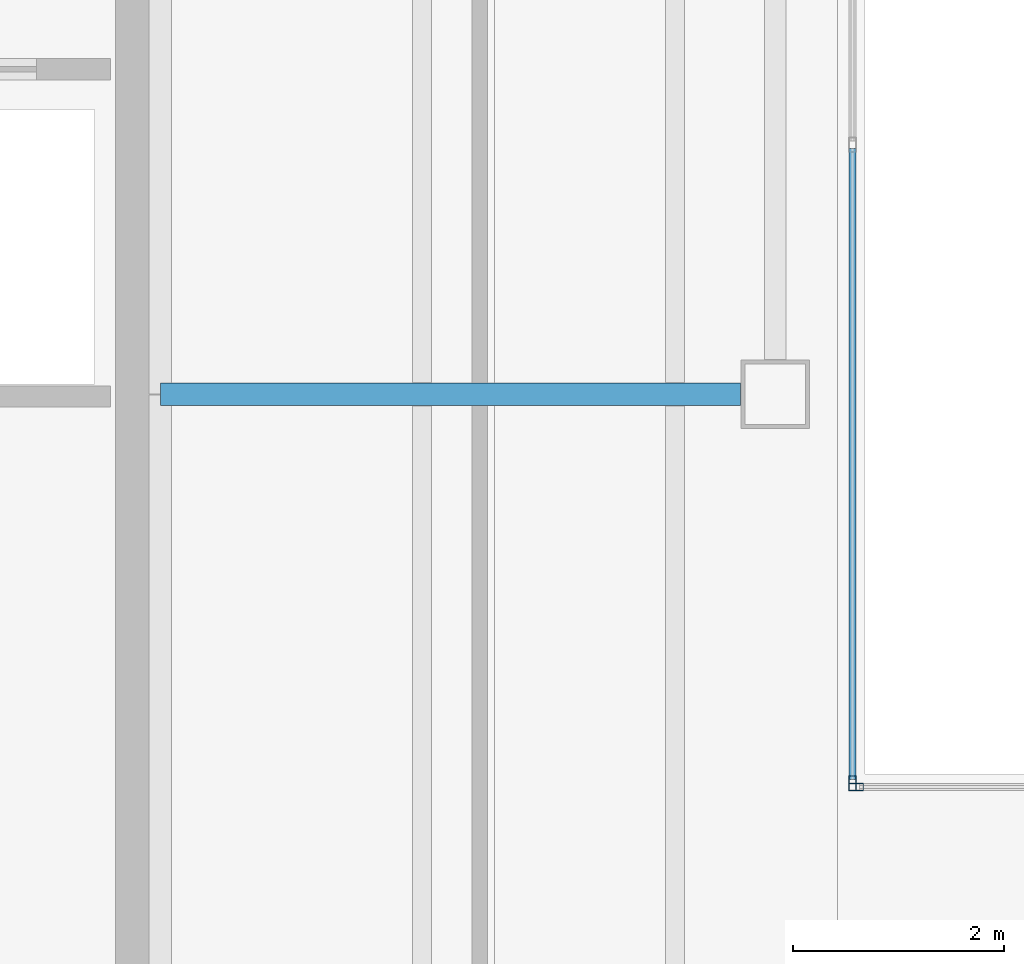
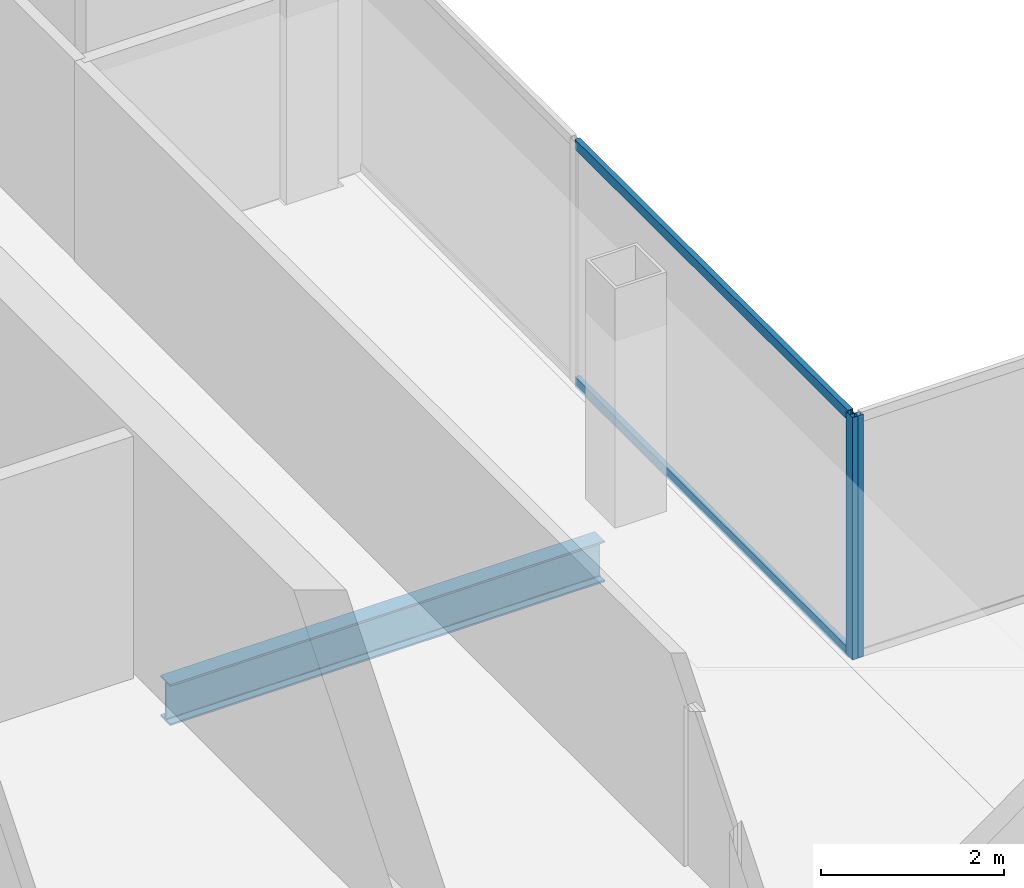
# One storey, part 8 of 23: 4 members, 1 beam, 2 elements without a shape of their own.
"""IFC4 building model written with IfcOpenShell, lengths in metres."""

from ifc_helpers import new_model, si_unit, direction, frame, origin, origin_2d, place, context, subcontext, project, spatial, hollow_rectangle, i_section, extrude, material, material_profile, profile_set, type_object, element, aggregate, save


model = new_model("IFC4")

# Units and contexts
model_context = context("Model", 3, precision=1e-05, world=origin(), true_north=direction((0.0, 1.0)))
body_context = subcontext(model_context, "Body", "Model", "MODEL_VIEW")
ifc_project = project(units=[si_unit("LENGTHUNIT", "METRE"), si_unit("AREAUNIT", "SQUARE_METRE"), si_unit("VOLUMEUNIT", "CUBIC_METRE"), si_unit("PLANEANGLEUNIT", "RADIAN"), si_unit("MASSUNIT", "GRAM", prefix="KILO")], contexts=[model_context])

# Site, building, storey
site_placement = place(None, origin())
site = spatial("IfcSite", under=ifc_project, at=site_placement, CompositionType="ELEMENT")
building_placement = place(site_placement, origin())
building = spatial("IfcBuilding", under=site, at=building_placement, Name="Cobrela Telecom Tower", CompositionType="ELEMENT")
storey_placement = place(building_placement, frame((0.0, 0.0, 272.64990234375)))
storey = spatial("IfcBuildingStorey", under=building, at=storey_placement, Name="L71", CompositionType="ELEMENT", Elevation=272.64990234375)

# Beam
ifc_material_1 = material(Name="Steel ASTM A992 Grade 50", Category="steel")
ifc_material_profile_1 = material_profile(ifc_material_1, i_section(OverallWidth=0.212890625, OverallDepth=0.549072265625, WebThickness=0.0146484375, FlangeThickness=0.023681640625, FilletRadius=0.013916015625, at=origin_2d()), Name="W21X93")
ifc_profile_set_1 = profile_set([ifc_material_profile_1], Name="Steel ASTM A992 Grade 50")
beam_type = type_object("IfcBeamType", Name="BM-GIRD-08", PredefinedType="USERDEFINED", material=ifc_profile_set_1)
beam_placement = place(storey_placement, frame((14.324951171875, 28.800048828125, -0.534423828125), z_axis=(1.0, 0.0, 0.0), x_axis=(0.0, 1.0, 0.0)))
element("IfcBeam", 1, at=beam_placement, inside=storey, type_object=beam_type, Name="L71 Primary Girder X15", ObjectType="GIRDER", PredefinedType="USERDEFINED", context=body_context, shape_type="SweptSolid", body=[
    extrude(i_section(OverallWidth=0.212890625, OverallDepth=0.549072265625, WebThickness=0.0146484375, FlangeThickness=0.023681640625, FilletRadius=0.013916015625, at=origin_2d()), origin(), (0.0, 0.0, 1.0), 5.4951171875),
])

# Curtain wall, member
ifc_material_2 = material(Name="Anodized Bronze Aluminium 6063-T6", Category="aluminium")
curtain_wall_type = type_object("IfcCurtainWallType", Name="CW-SYS-OFF-HI", PredefinedType="USERDEFINED", material=ifc_material_2)
curtain_wall_1_placement = place(storey_placement, origin())
curtain_wall_1 = element("IfcCurtainWall", 2, at=curtain_wall_1_placement, inside=storey, type_object=curtain_wall_type, Name="L71 Unitised Bronze Curtain Wall 08", ObjectType="UNITISED CURTAIN WALL", PredefinedType="USERDEFINED")
ifc_material_profile_2 = material_profile(ifc_material_2, hollow_rectangle(XDim=0.070068359375, YDim=0.139892578125, WallThickness=0.00390625, at=origin_2d()), Name="ALU 70x140x4")
ifc_profile_set_2 = profile_set([ifc_material_profile_2], Name="Anodized Bronze Aluminium 6063-T6")
member_type_1 = type_object("IfcMemberType", Name="CW-SYS-OFF-HI-MUL", PredefinedType="MULLION", material=ifc_profile_set_2)
member_1_placement = place(storey_placement, frame((20.8798828125, 25.114990234375, 0.0), z_axis=(0.0, 0.0, 1.0), x_axis=(1.0, 0.0, 0.0)))
member_1 = element("IfcMember", 3, at=member_1_placement, type_object=member_type_1, Name="CW-OFF-HI mullion 3", PredefinedType="MULLION", context=body_context, shape_type="SweptSolid", body=[
    extrude(hollow_rectangle(XDim=0.070068359375, YDim=0.139892578125, WallThickness=0.00390625, at=origin_2d()), origin(), (0.0, 0.0, 1.0), 3.239990234375),
])

curtain_wall_2_placement = place(storey_placement, origin())
curtain_wall_2 = element("IfcCurtainWall", 4, at=curtain_wall_2_placement, inside=storey, type_object=curtain_wall_type, Name="L71 Unitised Bronze Curtain Wall 09", ObjectType="UNITISED CURTAIN WALL", PredefinedType="USERDEFINED")
member_2_placement = place(storey_placement, frame((20.9150390625, 25.080078125, 0.0), z_axis=(0.0, 0.0, 1.0), x_axis=(0.0, 1.0, 0.0)))
member_2 = element("IfcMember", 5, at=member_2_placement, type_object=member_type_1, Name="CW-OFF-HI mullion 1", PredefinedType="MULLION", context=body_context, shape_type="SweptSolid", body=[
    extrude(hollow_rectangle(XDim=0.070068359375, YDim=0.139892578125, WallThickness=0.00390625, at=origin_2d()), origin(), (0.0, 0.0, 1.0), 3.239990234375),
])
aggregate(curtain_wall_2, [member_2])

# Member
ifc_material_profile_3 = material_profile(ifc_material_2, hollow_rectangle(XDim=0.06494140625, YDim=0.1298828125, WallThickness=0.00390625, at=origin_2d()), Name="ALU 65x130x4")
ifc_profile_set_3 = profile_set([ifc_material_profile_3], Name="Anodized Bronze Aluminium 6063-T6")
member_type_2 = type_object("IfcMemberType", Name="CW-SYS-OFF-HI-TRN", PredefinedType="USERDEFINED", material=ifc_profile_set_3)
member_3_placement = place(storey_placement, frame((20.8798828125, 31.1298828125, 0.03271484375), z_axis=(0.0, -1.0, 0.0), x_axis=(1.0, 0.0, 0.0)))
member_3 = element("IfcMember", 6, at=member_3_placement, type_object=member_type_2, Name="CW-OFF-HI transom 2.1", ObjectType="TRANSOM", PredefinedType="USERDEFINED", context=body_context, shape_type="SweptSolid", body=[
    extrude(hollow_rectangle(XDim=0.06494140625, YDim=0.1298828125, WallThickness=0.00390625, at=origin_2d()), origin(), (0.0, 0.0, 1.0), 5.97998046875),
])

member_4_placement = place(storey_placement, frame((20.8798828125, 31.1298828125, 3.20751953125), z_axis=(0.0, -1.0, 0.0), x_axis=(1.0, 0.0, 0.0)))
member_4 = element("IfcMember", 7, at=member_4_placement, type_object=member_type_2, Name="CW-OFF-HI transom 2.2", ObjectType="TRANSOM", PredefinedType="USERDEFINED", context=body_context, shape_type="SweptSolid", body=[
    extrude(hollow_rectangle(XDim=0.06494140625, YDim=0.1298828125, WallThickness=0.00390625, at=origin_2d()), origin(), (0.0, 0.0, 1.0), 5.97998046875),
])

aggregate(curtain_wall_1, [member_1, member_3, member_4])

save(model, "model.ifc")
